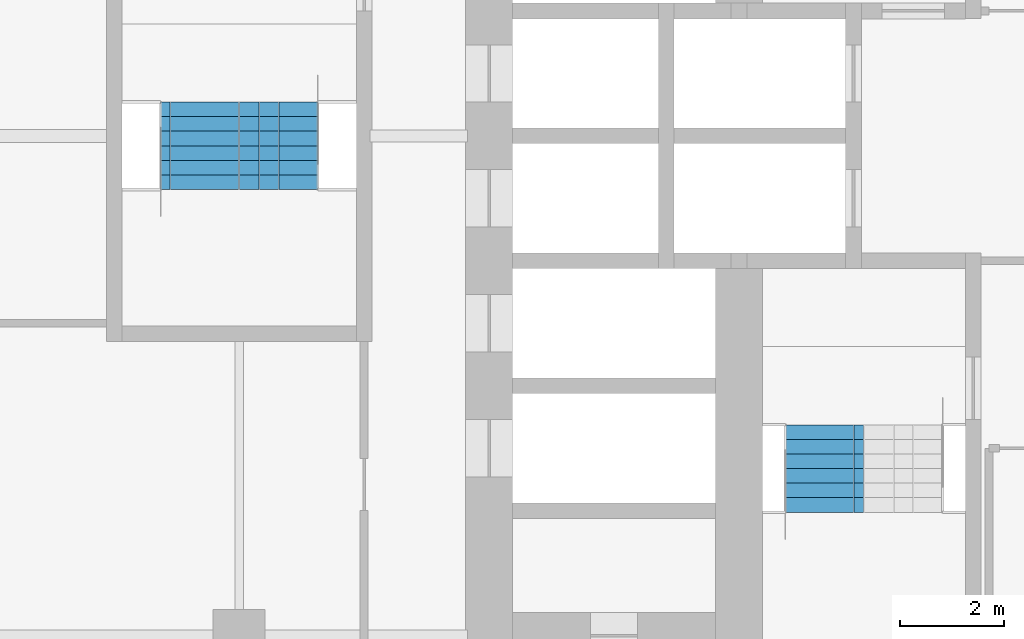
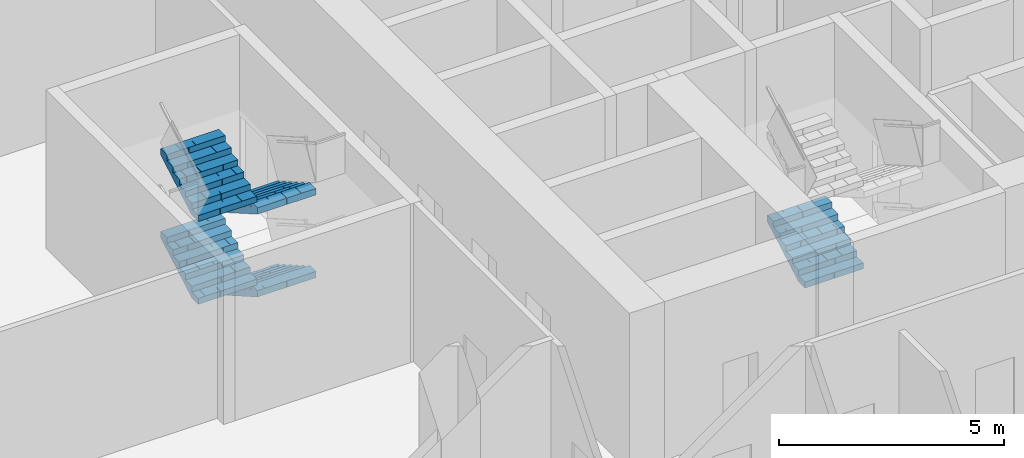
# One storey, part 17 of 22: 5 stair flights, 2 elements without a shape of their own.
"""IFC4 building model written with IfcOpenShell, lengths in metres."""

from ifc_helpers import new_model, si_unit, direction, frame, origin, place, context, subcontext, project, spatial, polyline, outline, extrude, material, type_object, element, aggregate, save


model = new_model("IFC4")

# Units and contexts
model_context = context("Model", 3, precision=1e-05, world=origin(), true_north=direction((0.0, 1.0)))
body_context = subcontext(model_context, "Body", "Model", "MODEL_VIEW")
ifc_project = project(units=[si_unit("LENGTHUNIT", "METRE"), si_unit("AREAUNIT", "SQUARE_METRE"), si_unit("VOLUMEUNIT", "CUBIC_METRE"), si_unit("PLANEANGLEUNIT", "RADIAN"), si_unit("MASSUNIT", "GRAM", prefix="KILO")], contexts=[model_context])

# Site, building, storey
site_placement = place(None, origin())
site = spatial("IfcSite", under=ifc_project, at=site_placement, CompositionType="ELEMENT")
building_placement = place(site_placement, origin())
building = spatial("IfcBuilding", under=site, at=building_placement, Name="Kolab Exchange Tower", CompositionType="ELEMENT")
storey_placement = place(building_placement, frame((0.0, 0.0, 82.39990234375)))
storey = spatial("IfcBuildingStorey", under=building, at=storey_placement, Name="L15", CompositionType="ELEMENT", Elevation=82.39990234375)

# Stair, stair flight
ifc_material = material(Name="Concrete C50/60", Category="concrete")
stair_type_1 = type_object("IfcStairType", Name="STAIR ST3 RISER 160.7", PredefinedType="DOUBLE_RETURN_STAIR", material=ifc_material)
stair_1_placement = place(storey_placement, origin())
stair_1 = element("IfcStair", 1, at=stair_1_placement, inside=storey, type_object=stair_type_1, Name="Stair 3", PredefinedType="DOUBLE_RETURN_STAIR")
stair_flight_type = type_object("IfcStairFlightType", Name="STAIR FLIGHT 1500 RISER 160.7", PredefinedType="STRAIGHT", material=ifc_material)
stair_flight_1_placement = place(storey_placement, frame((-7.9599609375, -7.22998046875, 1.125), z_axis=(0.0, 0.0, 1.0), x_axis=(0.0, 1.0, 0.0)))
stair_flight_1 = element("IfcStairFlight", 2, at=stair_flight_1_placement, type_object=stair_flight_type, Name="ST3 flight 2", NumberOfRisers=7, NumberOfTreads=6, PredefinedType="STRAIGHT", RiserHeight=0.160714286, TreadLength=0.28, context=body_context, shape_type="SweptSolid", body=[
    extrude(outline(polyline([(0.0, 0.0), (0.0, 0.16064453125), (0.280029296875, 0.16064453125), (0.280029296875, 0.321533203125), (0.56005859375, 0.321533203125), (0.56005859375, 0.482177734375), (0.840087890625, 0.482177734375), (0.840087890625, 0.642822265625), (1.1201171875, 0.642822265625), (1.1201171875, 0.803466796875), (1.39990234375, 0.803466796875), (1.39990234375, 0.96435546875), (1.679931640625, 0.96435546875), (1.679931640625, 1.125), (1.679931640625, 0.79150390625), (0.301025390625, 0.0), (0.0, 0.0)])), frame((0.0, 0.75, 0.0), z_axis=(0.0, -1.0, 0.0), x_axis=(1.0, 0.0, 0.0)), (0.0, 0.0, 1.0), 0.185791015625),
    extrude(outline(polyline([(0.0, 0.0), (0.0, 0.16064453125), (0.280029296875, 0.16064453125), (0.280029296875, 0.321533203125), (0.56005859375, 0.321533203125), (0.56005859375, 0.482177734375), (0.840087890625, 0.482177734375), (0.840087890625, 0.642822265625), (1.1201171875, 0.642822265625), (1.1201171875, 0.803466796875), (1.39990234375, 0.803466796875), (1.39990234375, 0.96435546875), (1.679931640625, 0.96435546875), (1.679931640625, 1.125), (1.679931640625, 0.79150390625), (0.301025390625, 0.0), (0.0, 0.0)])), frame((0.0, 0.562255859375, 0.0), z_axis=(0.0, -1.0, 0.0), x_axis=(1.0, 0.0, 0.0)), (0.0, 0.0, 1.0), 0.185791015625),
    extrude(outline(polyline([(0.0, 0.0), (0.0, 0.16064453125), (0.280029296875, 0.16064453125), (0.280029296875, 0.321533203125), (0.56005859375, 0.321533203125), (0.56005859375, 0.482177734375), (0.840087890625, 0.482177734375), (0.840087890625, 0.642822265625), (1.1201171875, 0.642822265625), (1.1201171875, 0.803466796875), (1.39990234375, 0.803466796875), (1.39990234375, 0.96435546875), (1.679931640625, 0.96435546875), (1.679931640625, 1.125), (1.679931640625, 0.79150390625), (0.301025390625, 0.0), (0.0, 0.0)])), frame((0.0, 0.37451171875, 0.0), z_axis=(0.0, -1.0, 0.0), x_axis=(1.0, 0.0, 0.0)), (0.0, 0.0, 1.0), 0.185791015625),
    extrude(outline(polyline([(0.0, 0.0), (0.0, 0.16064453125), (0.280029296875, 0.16064453125), (0.280029296875, 0.321533203125), (0.56005859375, 0.321533203125), (0.56005859375, 0.482177734375), (0.840087890625, 0.482177734375), (0.840087890625, 0.642822265625), (1.1201171875, 0.642822265625), (1.1201171875, 0.803466796875), (1.39990234375, 0.803466796875), (1.39990234375, 0.96435546875), (1.679931640625, 0.96435546875), (1.679931640625, 1.125), (1.679931640625, 0.79150390625), (0.301025390625, 0.0), (0.0, 0.0)])), frame((0.0, 0.186767578125, 0.0), z_axis=(0.0, -1.0, 0.0), x_axis=(1.0, 0.0, 0.0)), (0.0, 0.0, 1.0), 0.185791015625),
    extrude(outline(polyline([(0.0, 0.0), (0.0, 0.16064453125), (0.280029296875, 0.16064453125), (0.280029296875, 0.321533203125), (0.56005859375, 0.321533203125), (0.56005859375, 0.482177734375), (0.840087890625, 0.482177734375), (0.840087890625, 0.642822265625), (1.1201171875, 0.642822265625), (1.1201171875, 0.803466796875), (1.39990234375, 0.803466796875), (1.39990234375, 0.96435546875), (1.679931640625, 0.96435546875), (1.679931640625, 1.125), (1.679931640625, 0.79150390625), (0.301025390625, 0.0), (0.0, 0.0)])), frame((0.0, -0.0009765625, 0.0), z_axis=(0.0, -1.0, 0.0), x_axis=(1.0, 0.0, 0.0)), (0.0, 0.0, 1.0), 0.185791015625),
    extrude(outline(polyline([(0.0, 0.0), (0.0, 0.16064453125), (0.280029296875, 0.16064453125), (0.280029296875, 0.321533203125), (0.56005859375, 0.321533203125), (0.56005859375, 0.482177734375), (0.840087890625, 0.482177734375), (0.840087890625, 0.642822265625), (1.1201171875, 0.642822265625), (1.1201171875, 0.803466796875), (1.39990234375, 0.803466796875), (1.39990234375, 0.96435546875), (1.679931640625, 0.96435546875), (1.679931640625, 1.125), (1.679931640625, 0.79150390625), (0.301025390625, 0.0), (0.0, 0.0)])), frame((0.0, -0.188720703125, 0.0), z_axis=(0.0, -1.0, 0.0), x_axis=(1.0, 0.0, 0.0)), (0.0, 0.0, 1.0), 0.185791015625),
    extrude(outline(polyline([(0.0, 0.0), (0.0, 0.16064453125), (0.280029296875, 0.16064453125), (0.280029296875, 0.321533203125), (0.56005859375, 0.321533203125), (0.56005859375, 0.482177734375), (0.840087890625, 0.482177734375), (0.840087890625, 0.642822265625), (1.1201171875, 0.642822265625), (1.1201171875, 0.803466796875), (1.39990234375, 0.803466796875), (1.39990234375, 0.96435546875), (1.679931640625, 0.96435546875), (1.679931640625, 1.125), (1.679931640625, 0.79150390625), (0.301025390625, 0.0), (0.0, 0.0)])), frame((0.0, -0.37646484375, 0.0), z_axis=(0.0, -1.0, 0.0), x_axis=(1.0, 0.0, 0.0)), (0.0, 0.0, 1.0), 0.185791015625),
    extrude(outline(polyline([(0.0, 0.0), (0.0, 0.16064453125), (0.280029296875, 0.16064453125), (0.280029296875, 0.321533203125), (0.56005859375, 0.321533203125), (0.56005859375, 0.482177734375), (0.840087890625, 0.482177734375), (0.840087890625, 0.642822265625), (1.1201171875, 0.642822265625), (1.1201171875, 0.803466796875), (1.39990234375, 0.803466796875), (1.39990234375, 0.96435546875), (1.679931640625, 0.96435546875), (1.679931640625, 1.125), (1.679931640625, 0.79150390625), (0.301025390625, 0.0), (0.0, 0.0)])), frame((0.0, -0.564208984375, 0.0), z_axis=(0.0, -1.0, 0.0), x_axis=(1.0, 0.0, 0.0)), (0.0, 0.0, 1.0), 0.185791015625),
])
aggregate(stair_1, [stair_flight_1])

# Stair, stair flights
stair_type_2 = type_object("IfcStairType", Name="STAIR ST5 RISER 160.7", PredefinedType="DOUBLE_RETURN_STAIR", material=ifc_material)
stair_2_placement = place(storey_placement, origin())
stair_2 = element("IfcStair", 3, at=stair_2_placement, inside=storey, type_object=stair_type_2, Name="Stair 5", PredefinedType="DOUBLE_RETURN_STAIR")
stair_flight_2_placement = place(storey_placement, frame((-18.43994140625, 0.64990234375, 0.0), z_axis=(0.0, 0.0, 1.0), x_axis=(0.0, -1.0, 0.0)))
stair_flight_2 = element("IfcStairFlight", 4, at=stair_flight_2_placement, type_object=stair_flight_type, Name="ST5 flight 1", NumberOfRisers=7, NumberOfTreads=6, PredefinedType="STRAIGHT", RiserHeight=0.160714286, TreadLength=0.28, context=body_context, shape_type="SweptSolid", body=[
    extrude(outline(polyline([(0.0, 0.0), (0.0, 0.16064453125), (0.280029296875, 0.16064453125), (0.280029296875, 0.321533203125), (0.56005859375, 0.321533203125), (0.56005859375, 0.482177734375), (0.840087890625, 0.482177734375), (0.840087890625, 0.642822265625), (1.1201171875, 0.642822265625), (1.1201171875, 0.803466796875), (1.39990234375, 0.803466796875), (1.39990234375, 0.96435546875), (1.679931640625, 0.96435546875), (1.679931640625, 1.125), (1.679931640625, 0.79150390625), (0.301025390625, 0.0), (0.0, 0.0)])), frame((0.0, 0.75, 0.0), z_axis=(0.0, -1.0, 0.0), x_axis=(1.0, 0.0, 0.0)), (0.0, 0.0, 1.0), 0.185791015625),
    extrude(outline(polyline([(0.0, 0.0), (0.0, 0.16064453125), (0.280029296875, 0.16064453125), (0.280029296875, 0.321533203125), (0.56005859375, 0.321533203125), (0.56005859375, 0.482177734375), (0.840087890625, 0.482177734375), (0.840087890625, 0.642822265625), (1.1201171875, 0.642822265625), (1.1201171875, 0.803466796875), (1.39990234375, 0.803466796875), (1.39990234375, 0.96435546875), (1.679931640625, 0.96435546875), (1.679931640625, 1.125), (1.679931640625, 0.79150390625), (0.301025390625, 0.0), (0.0, 0.0)])), frame((0.0, 0.562255859375, 0.0), z_axis=(0.0, -1.0, 0.0), x_axis=(1.0, 0.0, 0.0)), (0.0, 0.0, 1.0), 0.185791015625),
    extrude(outline(polyline([(0.0, 0.0), (0.0, 0.16064453125), (0.280029296875, 0.16064453125), (0.280029296875, 0.321533203125), (0.56005859375, 0.321533203125), (0.56005859375, 0.482177734375), (0.840087890625, 0.482177734375), (0.840087890625, 0.642822265625), (1.1201171875, 0.642822265625), (1.1201171875, 0.803466796875), (1.39990234375, 0.803466796875), (1.39990234375, 0.96435546875), (1.679931640625, 0.96435546875), (1.679931640625, 1.125), (1.679931640625, 0.79150390625), (0.301025390625, 0.0), (0.0, 0.0)])), frame((0.0, 0.37451171875, 0.0), z_axis=(0.0, -1.0, 0.0), x_axis=(1.0, 0.0, 0.0)), (0.0, 0.0, 1.0), 0.185791015625),
    extrude(outline(polyline([(0.0, 0.0), (0.0, 0.16064453125), (0.280029296875, 0.16064453125), (0.280029296875, 0.321533203125), (0.56005859375, 0.321533203125), (0.56005859375, 0.482177734375), (0.840087890625, 0.482177734375), (0.840087890625, 0.642822265625), (1.1201171875, 0.642822265625), (1.1201171875, 0.803466796875), (1.39990234375, 0.803466796875), (1.39990234375, 0.96435546875), (1.679931640625, 0.96435546875), (1.679931640625, 1.125), (1.679931640625, 0.79150390625), (0.301025390625, 0.0), (0.0, 0.0)])), frame((0.0, 0.186767578125, 0.0), z_axis=(0.0, -1.0, 0.0), x_axis=(1.0, 0.0, 0.0)), (0.0, 0.0, 1.0), 0.185791015625),
    extrude(outline(polyline([(0.0, 0.0), (0.0, 0.16064453125), (0.280029296875, 0.16064453125), (0.280029296875, 0.321533203125), (0.56005859375, 0.321533203125), (0.56005859375, 0.482177734375), (0.840087890625, 0.482177734375), (0.840087890625, 0.642822265625), (1.1201171875, 0.642822265625), (1.1201171875, 0.803466796875), (1.39990234375, 0.803466796875), (1.39990234375, 0.96435546875), (1.679931640625, 0.96435546875), (1.679931640625, 1.125), (1.679931640625, 0.79150390625), (0.301025390625, 0.0), (0.0, 0.0)])), frame((0.0, -0.0009765625, 0.0), z_axis=(0.0, -1.0, 0.0), x_axis=(1.0, 0.0, 0.0)), (0.0, 0.0, 1.0), 0.185791015625),
    extrude(outline(polyline([(0.0, 0.0), (0.0, 0.16064453125), (0.280029296875, 0.16064453125), (0.280029296875, 0.321533203125), (0.56005859375, 0.321533203125), (0.56005859375, 0.482177734375), (0.840087890625, 0.482177734375), (0.840087890625, 0.642822265625), (1.1201171875, 0.642822265625), (1.1201171875, 0.803466796875), (1.39990234375, 0.803466796875), (1.39990234375, 0.96435546875), (1.679931640625, 0.96435546875), (1.679931640625, 1.125), (1.679931640625, 0.79150390625), (0.301025390625, 0.0), (0.0, 0.0)])), frame((0.0, -0.188720703125, 0.0), z_axis=(0.0, -1.0, 0.0), x_axis=(1.0, 0.0, 0.0)), (0.0, 0.0, 1.0), 0.185791015625),
    extrude(outline(polyline([(0.0, 0.0), (0.0, 0.16064453125), (0.280029296875, 0.16064453125), (0.280029296875, 0.321533203125), (0.56005859375, 0.321533203125), (0.56005859375, 0.482177734375), (0.840087890625, 0.482177734375), (0.840087890625, 0.642822265625), (1.1201171875, 0.642822265625), (1.1201171875, 0.803466796875), (1.39990234375, 0.803466796875), (1.39990234375, 0.96435546875), (1.679931640625, 0.96435546875), (1.679931640625, 1.125), (1.679931640625, 0.79150390625), (0.301025390625, 0.0), (0.0, 0.0)])), frame((0.0, -0.37646484375, 0.0), z_axis=(0.0, -1.0, 0.0), x_axis=(1.0, 0.0, 0.0)), (0.0, 0.0, 1.0), 0.185791015625),
    extrude(outline(polyline([(0.0, 0.0), (0.0, 0.16064453125), (0.280029296875, 0.16064453125), (0.280029296875, 0.321533203125), (0.56005859375, 0.321533203125), (0.56005859375, 0.482177734375), (0.840087890625, 0.482177734375), (0.840087890625, 0.642822265625), (1.1201171875, 0.642822265625), (1.1201171875, 0.803466796875), (1.39990234375, 0.803466796875), (1.39990234375, 0.96435546875), (1.679931640625, 0.96435546875), (1.679931640625, 1.125), (1.679931640625, 0.79150390625), (0.301025390625, 0.0), (0.0, 0.0)])), frame((0.0, -0.564208984375, 0.0), z_axis=(0.0, -1.0, 0.0), x_axis=(1.0, 0.0, 0.0)), (0.0, 0.0, 1.0), 0.185791015625),
])
stair_flight_3_placement = place(storey_placement, frame((-19.9599609375, -1.030029296875, 1.125), z_axis=(0.0, 0.0, 1.0), x_axis=(0.0, 1.0, 0.0)))
stair_flight_3 = element("IfcStairFlight", 5, at=stair_flight_3_placement, type_object=stair_flight_type, Name="ST5 flight 2", NumberOfRisers=7, NumberOfTreads=6, PredefinedType="STRAIGHT", RiserHeight=0.160714286, TreadLength=0.28, context=body_context, shape_type="SweptSolid", body=[
    extrude(outline(polyline([(0.0, 0.0), (0.0, 0.16064453125), (0.280029296875, 0.16064453125), (0.280029296875, 0.321533203125), (0.56005859375, 0.321533203125), (0.56005859375, 0.482177734375), (0.840087890625, 0.482177734375), (0.840087890625, 0.642822265625), (1.1201171875, 0.642822265625), (1.1201171875, 0.803466796875), (1.39990234375, 0.803466796875), (1.39990234375, 0.96435546875), (1.679931640625, 0.96435546875), (1.679931640625, 1.125), (1.679931640625, 0.79150390625), (0.301025390625, 0.0), (0.0, 0.0)])), frame((0.0, 0.75, 0.0), z_axis=(0.0, -1.0, 0.0), x_axis=(1.0, 0.0, 0.0)), (0.0, 0.0, 1.0), 0.185791015625),
    extrude(outline(polyline([(0.0, 0.0), (0.0, 0.16064453125), (0.280029296875, 0.16064453125), (0.280029296875, 0.321533203125), (0.56005859375, 0.321533203125), (0.56005859375, 0.482177734375), (0.840087890625, 0.482177734375), (0.840087890625, 0.642822265625), (1.1201171875, 0.642822265625), (1.1201171875, 0.803466796875), (1.39990234375, 0.803466796875), (1.39990234375, 0.96435546875), (1.679931640625, 0.96435546875), (1.679931640625, 1.125), (1.679931640625, 0.79150390625), (0.301025390625, 0.0), (0.0, 0.0)])), frame((0.0, 0.562255859375, 0.0), z_axis=(0.0, -1.0, 0.0), x_axis=(1.0, 0.0, 0.0)), (0.0, 0.0, 1.0), 0.185791015625),
    extrude(outline(polyline([(0.0, 0.0), (0.0, 0.16064453125), (0.280029296875, 0.16064453125), (0.280029296875, 0.321533203125), (0.56005859375, 0.321533203125), (0.56005859375, 0.482177734375), (0.840087890625, 0.482177734375), (0.840087890625, 0.642822265625), (1.1201171875, 0.642822265625), (1.1201171875, 0.803466796875), (1.39990234375, 0.803466796875), (1.39990234375, 0.96435546875), (1.679931640625, 0.96435546875), (1.679931640625, 1.125), (1.679931640625, 0.79150390625), (0.301025390625, 0.0), (0.0, 0.0)])), frame((0.0, 0.37451171875, 0.0), z_axis=(0.0, -1.0, 0.0), x_axis=(1.0, 0.0, 0.0)), (0.0, 0.0, 1.0), 0.185791015625),
    extrude(outline(polyline([(0.0, 0.0), (0.0, 0.16064453125), (0.280029296875, 0.16064453125), (0.280029296875, 0.321533203125), (0.56005859375, 0.321533203125), (0.56005859375, 0.482177734375), (0.840087890625, 0.482177734375), (0.840087890625, 0.642822265625), (1.1201171875, 0.642822265625), (1.1201171875, 0.803466796875), (1.39990234375, 0.803466796875), (1.39990234375, 0.96435546875), (1.679931640625, 0.96435546875), (1.679931640625, 1.125), (1.679931640625, 0.79150390625), (0.301025390625, 0.0), (0.0, 0.0)])), frame((0.0, 0.186767578125, 0.0), z_axis=(0.0, -1.0, 0.0), x_axis=(1.0, 0.0, 0.0)), (0.0, 0.0, 1.0), 0.185791015625),
    extrude(outline(polyline([(0.0, 0.0), (0.0, 0.16064453125), (0.280029296875, 0.16064453125), (0.280029296875, 0.321533203125), (0.56005859375, 0.321533203125), (0.56005859375, 0.482177734375), (0.840087890625, 0.482177734375), (0.840087890625, 0.642822265625), (1.1201171875, 0.642822265625), (1.1201171875, 0.803466796875), (1.39990234375, 0.803466796875), (1.39990234375, 0.96435546875), (1.679931640625, 0.96435546875), (1.679931640625, 1.125), (1.679931640625, 0.79150390625), (0.301025390625, 0.0), (0.0, 0.0)])), frame((0.0, -0.0009765625, 0.0), z_axis=(0.0, -1.0, 0.0), x_axis=(1.0, 0.0, 0.0)), (0.0, 0.0, 1.0), 0.185791015625),
    extrude(outline(polyline([(0.0, 0.0), (0.0, 0.16064453125), (0.280029296875, 0.16064453125), (0.280029296875, 0.321533203125), (0.56005859375, 0.321533203125), (0.56005859375, 0.482177734375), (0.840087890625, 0.482177734375), (0.840087890625, 0.642822265625), (1.1201171875, 0.642822265625), (1.1201171875, 0.803466796875), (1.39990234375, 0.803466796875), (1.39990234375, 0.96435546875), (1.679931640625, 0.96435546875), (1.679931640625, 1.125), (1.679931640625, 0.79150390625), (0.301025390625, 0.0), (0.0, 0.0)])), frame((0.0, -0.188720703125, 0.0), z_axis=(0.0, -1.0, 0.0), x_axis=(1.0, 0.0, 0.0)), (0.0, 0.0, 1.0), 0.185791015625),
    extrude(outline(polyline([(0.0, 0.0), (0.0, 0.16064453125), (0.280029296875, 0.16064453125), (0.280029296875, 0.321533203125), (0.56005859375, 0.321533203125), (0.56005859375, 0.482177734375), (0.840087890625, 0.482177734375), (0.840087890625, 0.642822265625), (1.1201171875, 0.642822265625), (1.1201171875, 0.803466796875), (1.39990234375, 0.803466796875), (1.39990234375, 0.96435546875), (1.679931640625, 0.96435546875), (1.679931640625, 1.125), (1.679931640625, 0.79150390625), (0.301025390625, 0.0), (0.0, 0.0)])), frame((0.0, -0.37646484375, 0.0), z_axis=(0.0, -1.0, 0.0), x_axis=(1.0, 0.0, 0.0)), (0.0, 0.0, 1.0), 0.185791015625),
    extrude(outline(polyline([(0.0, 0.0), (0.0, 0.16064453125), (0.280029296875, 0.16064453125), (0.280029296875, 0.321533203125), (0.56005859375, 0.321533203125), (0.56005859375, 0.482177734375), (0.840087890625, 0.482177734375), (0.840087890625, 0.642822265625), (1.1201171875, 0.642822265625), (1.1201171875, 0.803466796875), (1.39990234375, 0.803466796875), (1.39990234375, 0.96435546875), (1.679931640625, 0.96435546875), (1.679931640625, 1.125), (1.679931640625, 0.79150390625), (0.301025390625, 0.0), (0.0, 0.0)])), frame((0.0, -0.564208984375, 0.0), z_axis=(0.0, -1.0, 0.0), x_axis=(1.0, 0.0, 0.0)), (0.0, 0.0, 1.0), 0.185791015625),
])
stair_flight_4_placement = place(storey_placement, frame((-18.43994140625, 0.64990234375, 2.25), z_axis=(0.0, 0.0, 1.0), x_axis=(0.0, -1.0, 0.0)))
stair_flight_4 = element("IfcStairFlight", 6, at=stair_flight_4_placement, type_object=stair_flight_type, Name="ST5 flight 3", NumberOfRisers=7, NumberOfTreads=6, PredefinedType="STRAIGHT", RiserHeight=0.160714286, TreadLength=0.28, context=body_context, shape_type="SweptSolid", body=[
    extrude(outline(polyline([(0.0, 0.0), (0.0, 0.16064453125), (0.280029296875, 0.16064453125), (0.280029296875, 0.321533203125), (0.56005859375, 0.321533203125), (0.56005859375, 0.482177734375), (0.840087890625, 0.482177734375), (0.840087890625, 0.642822265625), (1.1201171875, 0.642822265625), (1.1201171875, 0.803466796875), (1.39990234375, 0.803466796875), (1.39990234375, 0.96435546875), (1.679931640625, 0.96435546875), (1.679931640625, 1.125), (1.679931640625, 0.79150390625), (0.301025390625, 0.0), (0.0, 0.0)])), frame((0.0, 0.75, 0.0), z_axis=(0.0, -1.0, 0.0), x_axis=(1.0, 0.0, 0.0)), (0.0, 0.0, 1.0), 0.185791015625),
    extrude(outline(polyline([(0.0, 0.0), (0.0, 0.16064453125), (0.280029296875, 0.16064453125), (0.280029296875, 0.321533203125), (0.56005859375, 0.321533203125), (0.56005859375, 0.482177734375), (0.840087890625, 0.482177734375), (0.840087890625, 0.642822265625), (1.1201171875, 0.642822265625), (1.1201171875, 0.803466796875), (1.39990234375, 0.803466796875), (1.39990234375, 0.96435546875), (1.679931640625, 0.96435546875), (1.679931640625, 1.125), (1.679931640625, 0.79150390625), (0.301025390625, 0.0), (0.0, 0.0)])), frame((0.0, 0.562255859375, 0.0), z_axis=(0.0, -1.0, 0.0), x_axis=(1.0, 0.0, 0.0)), (0.0, 0.0, 1.0), 0.185791015625),
    extrude(outline(polyline([(0.0, 0.0), (0.0, 0.16064453125), (0.280029296875, 0.16064453125), (0.280029296875, 0.321533203125), (0.56005859375, 0.321533203125), (0.56005859375, 0.482177734375), (0.840087890625, 0.482177734375), (0.840087890625, 0.642822265625), (1.1201171875, 0.642822265625), (1.1201171875, 0.803466796875), (1.39990234375, 0.803466796875), (1.39990234375, 0.96435546875), (1.679931640625, 0.96435546875), (1.679931640625, 1.125), (1.679931640625, 0.79150390625), (0.301025390625, 0.0), (0.0, 0.0)])), frame((0.0, 0.37451171875, 0.0), z_axis=(0.0, -1.0, 0.0), x_axis=(1.0, 0.0, 0.0)), (0.0, 0.0, 1.0), 0.185791015625),
    extrude(outline(polyline([(0.0, 0.0), (0.0, 0.16064453125), (0.280029296875, 0.16064453125), (0.280029296875, 0.321533203125), (0.56005859375, 0.321533203125), (0.56005859375, 0.482177734375), (0.840087890625, 0.482177734375), (0.840087890625, 0.642822265625), (1.1201171875, 0.642822265625), (1.1201171875, 0.803466796875), (1.39990234375, 0.803466796875), (1.39990234375, 0.96435546875), (1.679931640625, 0.96435546875), (1.679931640625, 1.125), (1.679931640625, 0.79150390625), (0.301025390625, 0.0), (0.0, 0.0)])), frame((0.0, 0.186767578125, 0.0), z_axis=(0.0, -1.0, 0.0), x_axis=(1.0, 0.0, 0.0)), (0.0, 0.0, 1.0), 0.185791015625),
    extrude(outline(polyline([(0.0, 0.0), (0.0, 0.16064453125), (0.280029296875, 0.16064453125), (0.280029296875, 0.321533203125), (0.56005859375, 0.321533203125), (0.56005859375, 0.482177734375), (0.840087890625, 0.482177734375), (0.840087890625, 0.642822265625), (1.1201171875, 0.642822265625), (1.1201171875, 0.803466796875), (1.39990234375, 0.803466796875), (1.39990234375, 0.96435546875), (1.679931640625, 0.96435546875), (1.679931640625, 1.125), (1.679931640625, 0.79150390625), (0.301025390625, 0.0), (0.0, 0.0)])), frame((0.0, -0.0009765625, 0.0), z_axis=(0.0, -1.0, 0.0), x_axis=(1.0, 0.0, 0.0)), (0.0, 0.0, 1.0), 0.185791015625),
    extrude(outline(polyline([(0.0, 0.0), (0.0, 0.16064453125), (0.280029296875, 0.16064453125), (0.280029296875, 0.321533203125), (0.56005859375, 0.321533203125), (0.56005859375, 0.482177734375), (0.840087890625, 0.482177734375), (0.840087890625, 0.642822265625), (1.1201171875, 0.642822265625), (1.1201171875, 0.803466796875), (1.39990234375, 0.803466796875), (1.39990234375, 0.96435546875), (1.679931640625, 0.96435546875), (1.679931640625, 1.125), (1.679931640625, 0.79150390625), (0.301025390625, 0.0), (0.0, 0.0)])), frame((0.0, -0.188720703125, 0.0), z_axis=(0.0, -1.0, 0.0), x_axis=(1.0, 0.0, 0.0)), (0.0, 0.0, 1.0), 0.185791015625),
    extrude(outline(polyline([(0.0, 0.0), (0.0, 0.16064453125), (0.280029296875, 0.16064453125), (0.280029296875, 0.321533203125), (0.56005859375, 0.321533203125), (0.56005859375, 0.482177734375), (0.840087890625, 0.482177734375), (0.840087890625, 0.642822265625), (1.1201171875, 0.642822265625), (1.1201171875, 0.803466796875), (1.39990234375, 0.803466796875), (1.39990234375, 0.96435546875), (1.679931640625, 0.96435546875), (1.679931640625, 1.125), (1.679931640625, 0.79150390625), (0.301025390625, 0.0), (0.0, 0.0)])), frame((0.0, -0.37646484375, 0.0), z_axis=(0.0, -1.0, 0.0), x_axis=(1.0, 0.0, 0.0)), (0.0, 0.0, 1.0), 0.185791015625),
    extrude(outline(polyline([(0.0, 0.0), (0.0, 0.16064453125), (0.280029296875, 0.16064453125), (0.280029296875, 0.321533203125), (0.56005859375, 0.321533203125), (0.56005859375, 0.482177734375), (0.840087890625, 0.482177734375), (0.840087890625, 0.642822265625), (1.1201171875, 0.642822265625), (1.1201171875, 0.803466796875), (1.39990234375, 0.803466796875), (1.39990234375, 0.96435546875), (1.679931640625, 0.96435546875), (1.679931640625, 1.125), (1.679931640625, 0.79150390625), (0.301025390625, 0.0), (0.0, 0.0)])), frame((0.0, -0.564208984375, 0.0), z_axis=(0.0, -1.0, 0.0), x_axis=(1.0, 0.0, 0.0)), (0.0, 0.0, 1.0), 0.185791015625),
])
stair_flight_5_placement = place(storey_placement, frame((-19.9599609375, -1.030029296875, 3.375), z_axis=(0.0, 0.0, 1.0), x_axis=(0.0, 1.0, 0.0)))
stair_flight_5 = element("IfcStairFlight", 7, at=stair_flight_5_placement, type_object=stair_flight_type, Name="ST5 flight 4", NumberOfRisers=7, NumberOfTreads=6, PredefinedType="STRAIGHT", RiserHeight=0.160714286, TreadLength=0.28, context=body_context, shape_type="SweptSolid", body=[
    extrude(outline(polyline([(0.0, 0.0), (0.0, 0.16064453125), (0.280029296875, 0.16064453125), (0.280029296875, 0.321533203125), (0.56005859375, 0.321533203125), (0.56005859375, 0.482177734375), (0.840087890625, 0.482177734375), (0.840087890625, 0.642822265625), (1.1201171875, 0.642822265625), (1.1201171875, 0.803466796875), (1.39990234375, 0.803466796875), (1.39990234375, 0.96435546875), (1.679931640625, 0.96435546875), (1.679931640625, 1.125), (1.679931640625, 0.79150390625), (0.301025390625, 0.0), (0.0, 0.0)])), frame((0.0, 0.75, 0.0), z_axis=(0.0, -1.0, 0.0), x_axis=(1.0, 0.0, 0.0)), (0.0, 0.0, 1.0), 0.185791015625),
    extrude(outline(polyline([(0.0, 0.0), (0.0, 0.16064453125), (0.280029296875, 0.16064453125), (0.280029296875, 0.321533203125), (0.56005859375, 0.321533203125), (0.56005859375, 0.482177734375), (0.840087890625, 0.482177734375), (0.840087890625, 0.642822265625), (1.1201171875, 0.642822265625), (1.1201171875, 0.803466796875), (1.39990234375, 0.803466796875), (1.39990234375, 0.96435546875), (1.679931640625, 0.96435546875), (1.679931640625, 1.125), (1.679931640625, 0.79150390625), (0.301025390625, 0.0), (0.0, 0.0)])), frame((0.0, 0.562255859375, 0.0), z_axis=(0.0, -1.0, 0.0), x_axis=(1.0, 0.0, 0.0)), (0.0, 0.0, 1.0), 0.185791015625),
    extrude(outline(polyline([(0.0, 0.0), (0.0, 0.16064453125), (0.280029296875, 0.16064453125), (0.280029296875, 0.321533203125), (0.56005859375, 0.321533203125), (0.56005859375, 0.482177734375), (0.840087890625, 0.482177734375), (0.840087890625, 0.642822265625), (1.1201171875, 0.642822265625), (1.1201171875, 0.803466796875), (1.39990234375, 0.803466796875), (1.39990234375, 0.96435546875), (1.679931640625, 0.96435546875), (1.679931640625, 1.125), (1.679931640625, 0.79150390625), (0.301025390625, 0.0), (0.0, 0.0)])), frame((0.0, 0.37451171875, 0.0), z_axis=(0.0, -1.0, 0.0), x_axis=(1.0, 0.0, 0.0)), (0.0, 0.0, 1.0), 0.185791015625),
    extrude(outline(polyline([(0.0, 0.0), (0.0, 0.16064453125), (0.280029296875, 0.16064453125), (0.280029296875, 0.321533203125), (0.56005859375, 0.321533203125), (0.56005859375, 0.482177734375), (0.840087890625, 0.482177734375), (0.840087890625, 0.642822265625), (1.1201171875, 0.642822265625), (1.1201171875, 0.803466796875), (1.39990234375, 0.803466796875), (1.39990234375, 0.96435546875), (1.679931640625, 0.96435546875), (1.679931640625, 1.125), (1.679931640625, 0.79150390625), (0.301025390625, 0.0), (0.0, 0.0)])), frame((0.0, 0.186767578125, 0.0), z_axis=(0.0, -1.0, 0.0), x_axis=(1.0, 0.0, 0.0)), (0.0, 0.0, 1.0), 0.185791015625),
    extrude(outline(polyline([(0.0, 0.0), (0.0, 0.16064453125), (0.280029296875, 0.16064453125), (0.280029296875, 0.321533203125), (0.56005859375, 0.321533203125), (0.56005859375, 0.482177734375), (0.840087890625, 0.482177734375), (0.840087890625, 0.642822265625), (1.1201171875, 0.642822265625), (1.1201171875, 0.803466796875), (1.39990234375, 0.803466796875), (1.39990234375, 0.96435546875), (1.679931640625, 0.96435546875), (1.679931640625, 1.125), (1.679931640625, 0.79150390625), (0.301025390625, 0.0), (0.0, 0.0)])), frame((0.0, -0.0009765625, 0.0), z_axis=(0.0, -1.0, 0.0), x_axis=(1.0, 0.0, 0.0)), (0.0, 0.0, 1.0), 0.185791015625),
    extrude(outline(polyline([(0.0, 0.0), (0.0, 0.16064453125), (0.280029296875, 0.16064453125), (0.280029296875, 0.321533203125), (0.56005859375, 0.321533203125), (0.56005859375, 0.482177734375), (0.840087890625, 0.482177734375), (0.840087890625, 0.642822265625), (1.1201171875, 0.642822265625), (1.1201171875, 0.803466796875), (1.39990234375, 0.803466796875), (1.39990234375, 0.96435546875), (1.679931640625, 0.96435546875), (1.679931640625, 1.125), (1.679931640625, 0.79150390625), (0.301025390625, 0.0), (0.0, 0.0)])), frame((0.0, -0.188720703125, 0.0), z_axis=(0.0, -1.0, 0.0), x_axis=(1.0, 0.0, 0.0)), (0.0, 0.0, 1.0), 0.185791015625),
    extrude(outline(polyline([(0.0, 0.0), (0.0, 0.16064453125), (0.280029296875, 0.16064453125), (0.280029296875, 0.321533203125), (0.56005859375, 0.321533203125), (0.56005859375, 0.482177734375), (0.840087890625, 0.482177734375), (0.840087890625, 0.642822265625), (1.1201171875, 0.642822265625), (1.1201171875, 0.803466796875), (1.39990234375, 0.803466796875), (1.39990234375, 0.96435546875), (1.679931640625, 0.96435546875), (1.679931640625, 1.125), (1.679931640625, 0.79150390625), (0.301025390625, 0.0), (0.0, 0.0)])), frame((0.0, -0.37646484375, 0.0), z_axis=(0.0, -1.0, 0.0), x_axis=(1.0, 0.0, 0.0)), (0.0, 0.0, 1.0), 0.185791015625),
    extrude(outline(polyline([(0.0, 0.0), (0.0, 0.16064453125), (0.280029296875, 0.16064453125), (0.280029296875, 0.321533203125), (0.56005859375, 0.321533203125), (0.56005859375, 0.482177734375), (0.840087890625, 0.482177734375), (0.840087890625, 0.642822265625), (1.1201171875, 0.642822265625), (1.1201171875, 0.803466796875), (1.39990234375, 0.803466796875), (1.39990234375, 0.96435546875), (1.679931640625, 0.96435546875), (1.679931640625, 1.125), (1.679931640625, 0.79150390625), (0.301025390625, 0.0), (0.0, 0.0)])), frame((0.0, -0.564208984375, 0.0), z_axis=(0.0, -1.0, 0.0), x_axis=(1.0, 0.0, 0.0)), (0.0, 0.0, 1.0), 0.185791015625),
])
aggregate(stair_2, [stair_flight_2, stair_flight_3, stair_flight_4, stair_flight_5])

save(model, "model.ifc")
